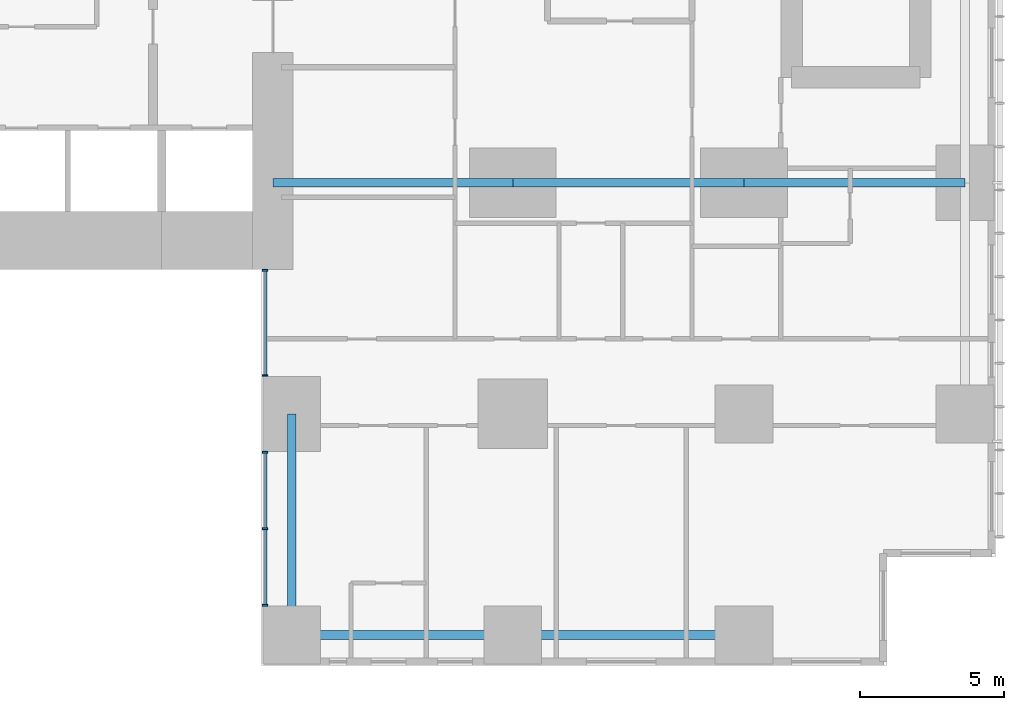
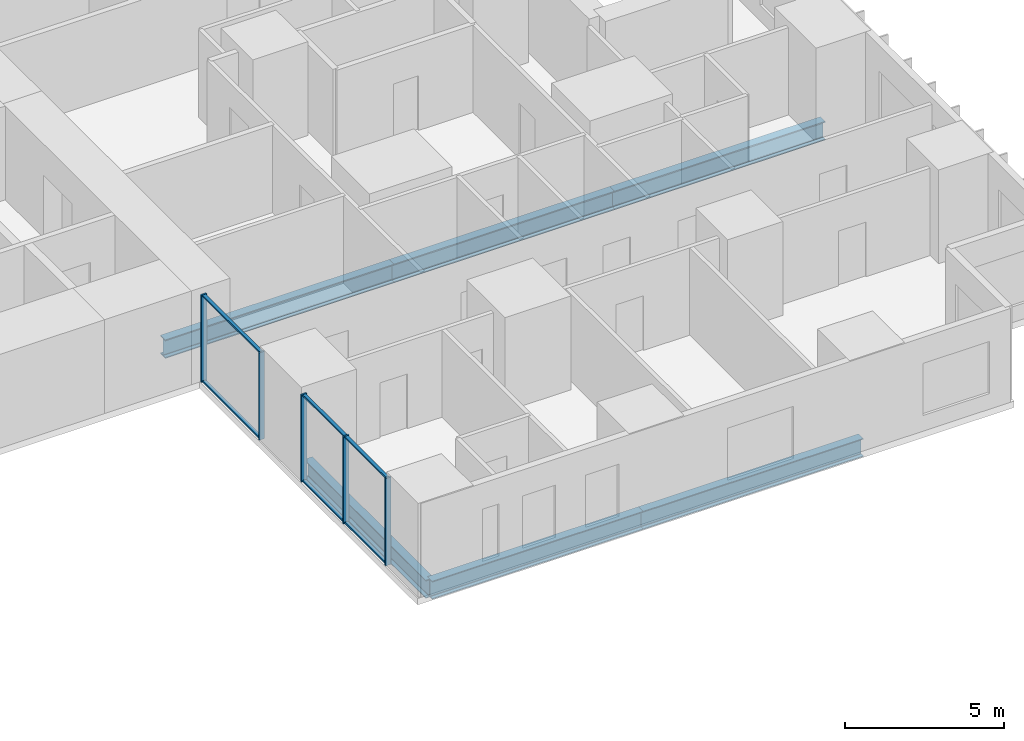
# One storey, part 3 of 20: 11 members, 6 beams, 2 elements without a shape of their own.
"""IFC4 building model written with IfcOpenShell, lengths in metres."""

import ifcopenshell
import ifcopenshell.guid

model = None  # the IFC model being written
_history = None  # IfcOwnerHistory: only IFC2X3 demands one
_inside = {}  # id of a spatial element -> (the spatial element, [elements in it])
_under = {}  # id of a project, library or spatial element -> (it, [spatial elements below it])
_declared = {}  # id of a project -> (the project, [libraries it declares])
_typed = {}  # id of a type object -> (the type object, [elements of that type])
_made_of = {}  # id of a material, layer set ... -> (it, [elements and type objects made of it])


def new_model(schema):
    """Start an empty IFC model of exactly this schema.

    Asked for "IFC4X3", IfcOpenShell would pick the latest addendum, in which some entities
    have other attributes; the version numbers below select the first issue.
    IFC2X3 requires an IfcOwnerHistory on every rooted entity: one is made here for all.
    """
    global model, _history
    if schema == "IFC4X3":
        model = ifcopenshell.file(schema_version=(4, 3, 0, 0))
    else:
        model = ifcopenshell.file(schema=schema)
    _inside.clear()
    _under.clear()
    _declared.clear()
    _typed.clear()
    _made_of.clear()
    _history = None
    if model.schema == "IFC2X3":
        org = make("IfcOrganization", Name="unknown")
        user = make(
            "IfcPersonAndOrganization",
            ThePerson=make("IfcPerson", FamilyName="unknown"),
            TheOrganization=org,
        )
        app = make(
            "IfcApplication",
            ApplicationDeveloper=org,
            Version="unknown",
            ApplicationFullName="unknown",
            ApplicationIdentifier="unknown",
        )
        _history = make(
            "IfcOwnerHistory",
            OwningUser=user,
            OwningApplication=app,
            ChangeAction="ADDED",
            CreationDate=0,
        )
    return model


def make(cls, **values):
    """One entity of the class cls with the attributes given. An attribute that is None is left unset."""
    return model.create_entity(
        cls, **{name: value for name, value in values.items() if value is not None}
    )


def rooted(cls, **values):
    """An entity with a GlobalId (a new one), such as an element, a storey or a relation."""
    return make(cls, GlobalId=ifcopenshell.guid.new(), OwnerHistory=_history, **values)


def si_unit(unit_type, name, prefix=None):
    """IfcSIUnit, for example si_unit("LENGTHUNIT", "METRE", prefix="MILLI")."""
    return make("IfcSIUnit", UnitType=unit_type, Prefix=prefix, Name=name)


def assignment(units):
    """IfcUnitAssignment: the units of a project."""
    return None if units is None else make("IfcUnitAssignment", Units=units)


def point(xyz):
    """IfcCartesianPoint."""
    return None if xyz is None else make("IfcCartesianPoint", Coordinates=xyz)


def direction(xyz):
    """IfcDirection."""
    return None if xyz is None else make("IfcDirection", DirectionRatios=xyz)


def frame(location, z_axis=None, x_axis=None):
    """IfcAxis2Placement3D, a coordinate frame: its origin and axes. An axis left out is left unset."""
    return make(
        "IfcAxis2Placement3D",
        Location=point(location),
        Axis=direction(z_axis),
        RefDirection=direction(x_axis),
    )


def frame_2d(location, x_axis=None):
    """IfcAxis2Placement2D, a coordinate frame in the plane: its origin and x axis."""
    return make(
        "IfcAxis2Placement2D", Location=point(location), RefDirection=direction(x_axis)
    )


def origin():
    """The frame at (0, 0, 0) with its axes left unset."""
    return frame((0.0, 0.0, 0.0))


def origin_2d():
    """The frame at (0, 0) in the plane with its x axis left unset."""
    return frame_2d((0.0, 0.0))


def place(relative_to, where):
    """IfcLocalPlacement: puts the frame where relative to a parent placement (None: the world)."""
    return make(
        "IfcLocalPlacement", PlacementRelTo=relative_to, RelativePlacement=where
    )


def context(
    kind, dimensions, precision=None, world=None, true_north=None, identifier=None
):
    """IfcGeometricRepresentationContext, for example the 3D "Model" context."""
    return make(
        "IfcGeometricRepresentationContext",
        ContextIdentifier=identifier,
        ContextType=kind,
        CoordinateSpaceDimension=dimensions,
        Precision=precision,
        WorldCoordinateSystem=world,
        TrueNorth=true_north,
    )


def subcontext(parent, identifier, kind, view, scale=None):
    """IfcGeometricRepresentationSubContext, for example "Body" below "Model"."""
    return make(
        "IfcGeometricRepresentationSubContext",
        ContextIdentifier=identifier,
        ContextType=kind,
        ParentContext=parent,
        TargetScale=scale,
        TargetView=view,
    )


def project(units=None, contexts=None):
    """IfcProject with its units and contexts."""
    return rooted(
        "IfcProject",
        Name="project",
        RepresentationContexts=contexts,
        UnitsInContext=assignment(units),
    )


def spatial(cls, under=None, at=None, **own):
    """A site, building, storey or space (cls), placed at a placement, below another one or the project."""
    s = rooted(cls, ObjectPlacement=at, **own)
    if under is not None:
        _under.setdefault(under.id(), (under, []))[1].append(s)
    return s


def profile(cls, at=None, kind="AREA", **sizes):
    """A parametric profile (cls). Its sizes go by their IFC names, for example OverallWidth=200.0."""
    return make(cls, ProfileType=kind, Position=at, **sizes)


def rectangle(**sizes):
    """IfcRectangleProfileDef."""
    return profile("IfcRectangleProfileDef", **sizes)


def i_section(**sizes):
    """IfcIShapeProfileDef."""
    return profile("IfcIShapeProfileDef", **sizes)


def extrude(swept, where, along, depth):
    """IfcExtrudedAreaSolid: the profile swept, set in the frame where, extruded along a direction by depth."""
    return make(
        "IfcExtrudedAreaSolid",
        SweptArea=swept,
        Position=where,
        ExtrudedDirection=direction(along),
        Depth=depth,
    )


def shape(context_of_items, identifier, shape_type, items):
    """IfcShapeRepresentation: the items that make up one representation, for example the "Body"."""
    return make(
        "IfcShapeRepresentation",
        ContextOfItems=context_of_items,
        RepresentationIdentifier=identifier,
        RepresentationType=shape_type,
        Items=items,
    )


def material(Name=None, Category=None):
    """IfcMaterial."""
    return make("IfcMaterial", Name=Name, Category=Category)


def layer(
    of_material, thickness, ventilated=None, Name=None, Category=None, Priority=None
):
    """IfcMaterialLayer: one layer of a wall or slab, of a material (None: an air gap)."""
    return make(
        "IfcMaterialLayer",
        Material=of_material,
        LayerThickness=thickness,
        IsVentilated=ventilated,
        Name=Name,
        Category=Category,
        Priority=Priority,
    )


def layer_set(layers, Name=None):
    """IfcMaterialLayerSet."""
    return make("IfcMaterialLayerSet", MaterialLayers=layers, LayerSetName=Name)


def material_profile(
    of_material, cross_section, Name=None, Category=None, Priority=None
):
    """IfcMaterialProfile: a cross section and its material."""
    return make(
        "IfcMaterialProfile",
        Name=Name,
        Material=of_material,
        Profile=cross_section,
        Priority=Priority,
        Category=Category,
    )


def profile_set(profiles, Name=None, composite=None):
    """IfcMaterialProfileSet."""
    return make(
        "IfcMaterialProfileSet",
        Name=Name,
        MaterialProfiles=profiles,
        CompositeProfile=composite,
    )


def made_of(thing, what):
    """Note that an element or type object is made of a material, layer set ...; save() writes the relation."""
    if what is not None:
        _made_of.setdefault(what.id(), (what, []))[1].append(thing)
    return thing


def type_object(cls, material=None, **own):
    """A type object (cls), such as IfcWallType, which elements share."""
    return made_of(rooted(cls, **own), material)


def element(
    cls,
    number,
    at=None,
    inside=None,
    cuts=None,
    type_object=None,
    material=None,
    context=None,
    identifier="Body",
    shape_type=None,
    held_by="IfcProductDefinitionShape",
    body=None,
    shapes=None,
    **own,
):
    """One element of the class cls, such as IfcWall. Its Tag is "e" and its number.

    at: its placement. inside: the storey or other place that contains it. cuts: it is an
    opening in that element (IfcRelVoidsElement). A single representation is given by context,
    identifier, shape_type and body (its items); several are given by shapes. held_by: the class
    of the entity that holds the representations. save() writes the other relations.
    """
    e = rooted(cls, Tag="e%d" % number, ObjectPlacement=at, **own)
    if body is not None:
        shapes = [shape(context, identifier, shape_type, body)]
    if shapes is not None:
        e.Representation = make(held_by, Representations=shapes)
    if inside is not None:
        _inside.setdefault(inside.id(), (inside, []))[1].append(e)
    if cuts is not None:
        rooted(
            "IfcRelVoidsElement", RelatingBuildingElement=cuts, RelatedOpeningElement=e
        )
    if type_object is not None:
        _typed.setdefault(type_object.id(), (type_object, []))[1].append(e)
    return made_of(e, material)


def aggregate(whole, parts):
    """IfcRelAggregates: a whole, such as a stair, and the parts it consists of."""
    return rooted("IfcRelAggregates", RelatingObject=whole, RelatedObjects=parts)


def save(model, path):
    """Write the relations noted so far, then the file.

    IfcRelAggregates (storeys below a building ...), IfcRelContainedInSpatialStructure (elements
    in a storey), IfcRelDefinesByType, IfcRelAssociatesMaterial and IfcRelDeclares: one each for
    every whole, place, type object, material and project.
    """
    for whole, parts in _under.values():
        aggregate(whole, parts)
    for where, things in _inside.values():
        rooted(
            "IfcRelContainedInSpatialStructure",
            RelatedElements=things,
            RelatingStructure=where,
        )
    for kind, things in _typed.values():
        rooted("IfcRelDefinesByType", RelatedObjects=things, RelatingType=kind)
    for what, things in _made_of.values():
        rooted("IfcRelAssociatesMaterial", RelatedObjects=things, RelatingMaterial=what)
    for by, libraries in _declared.values():
        rooted("IfcRelDeclares", RelatingContext=by, RelatedDefinitions=libraries)
    model.write(path)


model = new_model("IFC4")

# Units and contexts
model_context = context("Model", 3, precision=1e-05, world=origin(), true_north=direction((0.0, 1.0)))
body_context = subcontext(model_context, "Body", "Model", "MODEL_VIEW")
ifc_project = project(units=[si_unit("LENGTHUNIT", "METRE"), si_unit("AREAUNIT", "SQUARE_METRE"), si_unit("VOLUMEUNIT", "CUBIC_METRE"), si_unit("PLANEANGLEUNIT", "RADIAN"), si_unit("MASSUNIT", "GRAM", prefix="KILO")], contexts=[model_context])

# Site, building, storey
site_placement = place(None, origin())
site = spatial("IfcSite", under=ifc_project, at=site_placement, CompositionType="ELEMENT")
building_placement = place(site_placement, origin())
building = spatial("IfcBuilding", under=site, at=building_placement, Name="Cleftline Residences", CompositionType="ELEMENT")
storey_placement = place(building_placement, frame((0.0, 0.0, 33.199951171875)))
storey = spatial("IfcBuildingStorey", under=building, at=storey_placement, Name="L07", CompositionType="ELEMENT", Elevation=33.199951171875)

# Beams
ifc_material_1 = material(Name="Steel S355", Category="steel")
ifc_material_profile_1 = material_profile(ifc_material_1, i_section(OverallWidth=0.300048828125, OverallDepth=0.699951171875, WebThickness=0.01708984375, FlangeThickness=0.031982421875, FilletRadius=0.027099609375, at=origin_2d()))
ifc_profile_set_1 = profile_set([ifc_material_profile_1], Name="Steel S355")
beam_type_1 = type_object("IfcBeamType", Name="BEAM HEB 700", PredefinedType="BEAM", material=ifc_profile_set_1)
beam_1_placement = place(storey_placement, frame((58.0, 0.35009765625, -0.599853515625), z_axis=(-1.0, 0.0, 0.0), x_axis=(0.0, -1.0, 0.0)))
element("IfcBeam", 1, at=beam_1_placement, inside=storey, type_object=beam_type_1, Name="Edge beam", PredefinedType="BEAM", context=body_context, shape_type="SweptSolid", body=[
    extrude(i_section(OverallWidth=0.300048828125, OverallDepth=0.699951171875, WebThickness=0.01708984375, FlangeThickness=0.031982421875, FilletRadius=0.027099609375, at=origin_2d()), origin(), (0.0, 0.0, 1.0), 8.0),
])
for number, where, z_axis, x_axis, name in (
    (2, (50.0, 0.35009765625, -0.599853515625), (-1.0, 0.0, 0.0), (0.0, -1.0, 0.0), "Edge beam"),
    (3, (42.35009765625, 0.35009765625, -0.599853515625), (0.0, 1.0, 0.0), (-1.0, 0.0, 0.0), "Edge beam"),
):
    element("IfcBeam", number, at=place(storey_placement, frame(where, z_axis=z_axis, x_axis=x_axis)), inside=storey, type_object=beam_type_1, Name=name, PredefinedType="BEAM", context=body_context, shape_type="SweptSolid", body=[
        extrude(i_section(OverallWidth=0.300048828125, OverallDepth=0.699951171875, WebThickness=0.01708984375, FlangeThickness=0.031982421875, FilletRadius=0.027099609375, at=origin_2d()), origin(), (0.0, 0.0, 1.0), 7.64990234375),
    ])
ifc_material_2 = material(Name="Steel S355", Category="steel")
ifc_material_profile_2 = material_profile(ifc_material_2, i_section(OverallWidth=0.303955078125, OverallDepth=0.716064453125, WebThickness=0.02099609375, FlangeThickness=0.0400390625, FilletRadius=0.027099609375, at=origin_2d()))
ifc_profile_set_2 = profile_set([ifc_material_profile_2], Name="Steel S355")
beam_type_2 = type_object("IfcBeamType", Name="BEAM HEM 700", PredefinedType="BEAM", material=ifc_profile_set_2)
beam_2_placement = place(storey_placement, frame((65.64990234375, 16.0, -0.60791015625), z_axis=(-1.0, 0.0, 0.0), x_axis=(0.0, -1.0, 0.0)))
element("IfcBeam", 4, at=beam_2_placement, inside=storey, type_object=beam_type_2, Name="Band beam", PredefinedType="BEAM", context=body_context, shape_type="SweptSolid", body=[
    extrude(i_section(OverallWidth=0.303955078125, OverallDepth=0.716064453125, WebThickness=0.02099609375, FlangeThickness=0.0400390625, FilletRadius=0.027099609375, at=origin_2d()), origin(), (0.0, 0.0, 1.0), 7.64990234375),
])
beam_3_placement = place(storey_placement, frame((58.0, 16.0, -0.60791015625), z_axis=(-1.0, 0.0, 0.0), x_axis=(0.0, -1.0, 0.0)))
element("IfcBeam", 5, at=beam_3_placement, inside=storey, type_object=beam_type_2, Name="Band beam", PredefinedType="BEAM", context=body_context, shape_type="SweptSolid", body=[
    extrude(i_section(OverallWidth=0.303955078125, OverallDepth=0.716064453125, WebThickness=0.02099609375, FlangeThickness=0.0400390625, FilletRadius=0.027099609375, at=origin_2d()), origin(), (0.0, 0.0, 1.0), 8.0),
])
beam_4_placement = place(storey_placement, frame((50.0, 16.0, -0.60791015625), z_axis=(-1.0, 0.0, 0.0), x_axis=(0.0, -1.0, 0.0)))
element("IfcBeam", 6, at=beam_4_placement, inside=storey, type_object=beam_type_2, Name="Band beam", PredefinedType="BEAM", context=body_context, shape_type="SweptSolid", body=[
    extrude(i_section(OverallWidth=0.303955078125, OverallDepth=0.716064453125, WebThickness=0.02099609375, FlangeThickness=0.0400390625, FilletRadius=0.027099609375, at=origin_2d()), origin(), (0.0, 0.0, 1.0), 8.300048828125),
])

# Curtain wall, members
ifc_material_3 = material(Name="Aluminium framed curtain wall", Category="aluminium")
ifc_layer = layer(ifc_material_3, 0.199951171875)
ifc_layer_set = layer_set([ifc_layer], Name="CW1 CLEFT GLAZING")
curtain_wall_type = type_object("IfcCurtainWallType", Name="CW1 CLEFT GLAZING", PredefinedType="NOTDEFINED", material=ifc_layer_set)
curtain_wall_1_placement = place(storey_placement, origin())
curtain_wall_1 = element("IfcCurtainWall", 7, at=curtain_wall_1_placement, inside=storey, type_object=curtain_wall_type, Name="Curtain wall CW1", PredefinedType="NOTDEFINED")
ifc_material_4 = material(Name="Aluminium mullion", Category="aluminium")
ifc_material_profile_3 = material_profile(ifc_material_4, rectangle(XDim=0.199951171875, YDim=0.06005859375, at=origin_2d()))
ifc_profile_set_3 = profile_set([ifc_material_profile_3], Name="Aluminium mullion")
member_type_1 = type_object("IfcMemberType", Name="CW1 MULLION", PredefinedType="MULLION", material=ifc_profile_set_3)
member_1_placement = place(storey_placement, frame((41.425048828125, 12.969970703125, 0.0), z_axis=(0.0, 0.0, 1.0), x_axis=(1.0, 0.0, 0.0)))
member_1 = element("IfcMember", 8, at=member_1_placement, type_object=member_type_1, Name="CW1 mullion 1", PredefinedType="MULLION", context=body_context, shape_type="SweptSolid", body=[
    extrude(rectangle(XDim=0.199951171875, YDim=0.06005859375, at=origin_2d()), origin(), (0.0, 0.0, 1.0), 3.35009765625),
])
member_2_placement = place(storey_placement, frame((41.425048828125, 9.330078125, 0.0), z_axis=(0.0, 0.0, 1.0), x_axis=(1.0, 0.0, 0.0)))
member_2 = element("IfcMember", 9, at=member_2_placement, type_object=member_type_1, Name="CW1 mullion 2", PredefinedType="MULLION", context=body_context, shape_type="SweptSolid", body=[
    extrude(rectangle(XDim=0.199951171875, YDim=0.06005859375, at=origin_2d()), origin(), (0.0, 0.0, 1.0), 3.35009765625),
])

curtain_wall_2_placement = place(storey_placement, origin())
curtain_wall_2 = element("IfcCurtainWall", 10, at=curtain_wall_2_placement, inside=storey, type_object=curtain_wall_type, Name="Curtain wall CW1", PredefinedType="NOTDEFINED")
member_3_placement = place(storey_placement, frame((41.425048828125, 6.669921875, 0.0), z_axis=(0.0, 0.0, 1.0), x_axis=(1.0, 0.0, 0.0)))
member_3 = element("IfcMember", 11, at=member_3_placement, type_object=member_type_1, Name="CW1 mullion 1", PredefinedType="MULLION", context=body_context, shape_type="SweptSolid", body=[
    extrude(rectangle(XDim=0.199951171875, YDim=0.06005859375, at=origin_2d()), origin(), (0.0, 0.0, 1.0), 3.35009765625),
])
member_4_placement = place(storey_placement, frame((41.425048828125, 4.02490234375, 0.0), z_axis=(0.0, 0.0, 1.0), x_axis=(1.0, 0.0, 0.0)))
member_4 = element("IfcMember", 12, at=member_4_placement, type_object=member_type_1, Name="CW1 mullion 2", PredefinedType="MULLION", context=body_context, shape_type="SweptSolid", body=[
    extrude(rectangle(XDim=0.199951171875, YDim=0.06005859375, at=origin_2d()), origin(), (0.0, 0.0, 1.0), 3.35009765625),
])
member_5_placement = place(storey_placement, frame((41.425048828125, 1.3798828125, 0.0), z_axis=(0.0, 0.0, 1.0), x_axis=(1.0, 0.0, 0.0)))
member_5 = element("IfcMember", 13, at=member_5_placement, type_object=member_type_1, Name="CW1 mullion 3", PredefinedType="MULLION", context=body_context, shape_type="SweptSolid", body=[
    extrude(rectangle(XDim=0.199951171875, YDim=0.06005859375, at=origin_2d()), origin(), (0.0, 0.0, 1.0), 3.35009765625),
])

# Member
ifc_material_5 = material(Name="Aluminium transom", Category="aluminium")
ifc_material_profile_4 = material_profile(ifc_material_5, rectangle(XDim=0.1201171875, YDim=0.06005859375, at=origin_2d()))
ifc_profile_set_4 = profile_set([ifc_material_profile_4], Name="Aluminium transom")
member_type_2 = type_object("IfcMemberType", Name="CW1 TRANSOM", PredefinedType="USERDEFINED", material=ifc_profile_set_4)
member_6_placement = place(storey_placement, frame((41.425048828125, 12.93994140625, 0.030029296875), z_axis=(0.0, -1.0, 0.0), x_axis=(1.0, 0.0, 0.0)))
member_6 = element("IfcMember", 14, at=member_6_placement, type_object=member_type_2, Name="CW1 transom 1.1", ObjectType="TRANSOM", PredefinedType="USERDEFINED", context=body_context, shape_type="SweptSolid", body=[
    extrude(rectangle(XDim=0.1201171875, YDim=0.06005859375, at=origin_2d()), origin(), (0.0, 0.0, 1.0), 3.579833984375),
])

member_7_placement = place(storey_placement, frame((41.425048828125, 12.93994140625, 3.320068359375), z_axis=(0.0, -1.0, 0.0), x_axis=(1.0, 0.0, 0.0)))
member_7 = element("IfcMember", 15, at=member_7_placement, type_object=member_type_2, Name="CW1 transom 1.2", ObjectType="TRANSOM", PredefinedType="USERDEFINED", context=body_context, shape_type="SweptSolid", body=[
    extrude(rectangle(XDim=0.1201171875, YDim=0.06005859375, at=origin_2d()), origin(), (0.0, 0.0, 1.0), 3.579833984375),
])

aggregate(curtain_wall_1, [member_1, member_2, member_6, member_7])

member_8_placement = place(storey_placement, frame((41.425048828125, 6.639892578125, 0.030029296875), z_axis=(0.0, -1.0, 0.0), x_axis=(1.0, 0.0, 0.0)))
member_8 = element("IfcMember", 16, at=member_8_placement, type_object=member_type_2, Name="CW1 transom 1.1", ObjectType="TRANSOM", PredefinedType="USERDEFINED", context=body_context, shape_type="SweptSolid", body=[
    extrude(rectangle(XDim=0.1201171875, YDim=0.06005859375, at=origin_2d()), origin(), (0.0, 0.0, 1.0), 2.5849609375),
])

member_9_placement = place(storey_placement, frame((41.425048828125, 6.639892578125, 3.320068359375), z_axis=(0.0, -1.0, 0.0), x_axis=(1.0, 0.0, 0.0)))
member_9 = element("IfcMember", 17, at=member_9_placement, type_object=member_type_2, Name="CW1 transom 1.2", ObjectType="TRANSOM", PredefinedType="USERDEFINED", context=body_context, shape_type="SweptSolid", body=[
    extrude(rectangle(XDim=0.1201171875, YDim=0.06005859375, at=origin_2d()), origin(), (0.0, 0.0, 1.0), 2.5849609375),
])

member_10_placement = place(storey_placement, frame((41.425048828125, 3.9951171875, 0.030029296875), z_axis=(0.0, -1.0, 0.0), x_axis=(1.0, 0.0, 0.0)))
member_10 = element("IfcMember", 18, at=member_10_placement, type_object=member_type_2, Name="CW1 transom 2.1", ObjectType="TRANSOM", PredefinedType="USERDEFINED", context=body_context, shape_type="SweptSolid", body=[
    extrude(rectangle(XDim=0.1201171875, YDim=0.06005859375, at=origin_2d()), origin(), (0.0, 0.0, 1.0), 2.585205078125),
])

member_11_placement = place(storey_placement, frame((41.425048828125, 3.9951171875, 3.320068359375), z_axis=(0.0, -1.0, 0.0), x_axis=(1.0, 0.0, 0.0)))
member_11 = element("IfcMember", 19, at=member_11_placement, type_object=member_type_2, Name="CW1 transom 2.2", ObjectType="TRANSOM", PredefinedType="USERDEFINED", context=body_context, shape_type="SweptSolid", body=[
    extrude(rectangle(XDim=0.1201171875, YDim=0.06005859375, at=origin_2d()), origin(), (0.0, 0.0, 1.0), 2.585205078125),
])

aggregate(curtain_wall_2, [member_3, member_4, member_5, member_8, member_9, member_10, member_11])

save(model, "model.ifc")
